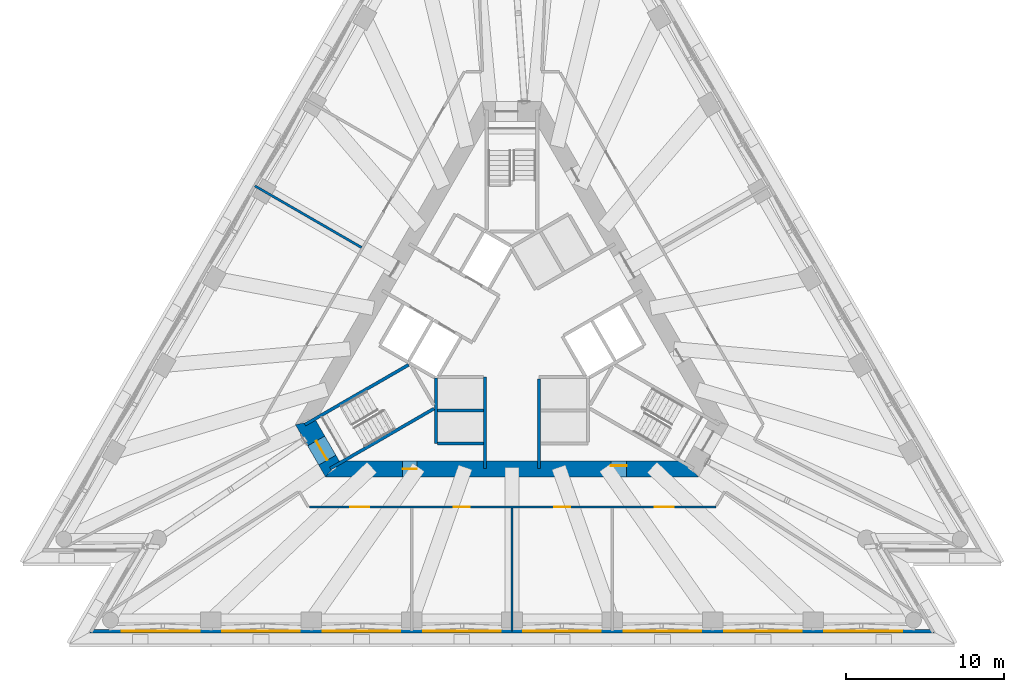
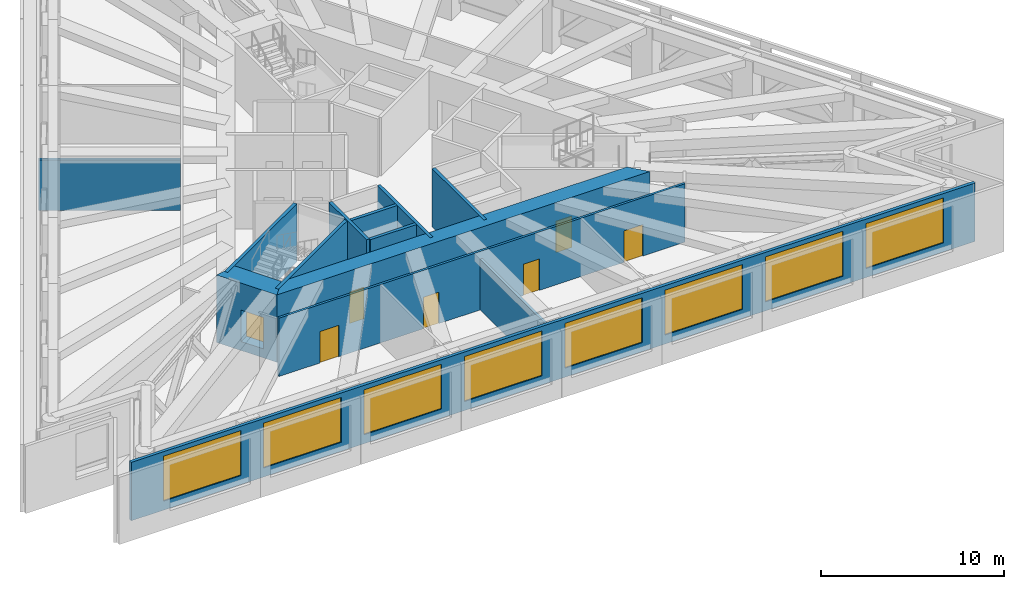
# One storey, part 6 of 12: 13 walls, 8 windows, 7 doors, 15 openings.
"""IFC4 building model written with IfcOpenShell, lengths in metres."""

from ifc_helpers import new_model, si_unit, direction, frame, frame_2d, origin, place, context, subcontext, project, spatial, polyline, rectangle, outline, extrude, material, layer, layer_set, layer_usage, type_object, element, fill, save


model = new_model("IFC4")

# Units and contexts
model_context = context("Model", 3, precision=1e-05, world=origin(), true_north=direction((0.0, 1.0)))
body_context = subcontext(model_context, "Body", "Model", "MODEL_VIEW")
ifc_project = project(units=[si_unit("LENGTHUNIT", "METRE"), si_unit("AREAUNIT", "SQUARE_METRE"), si_unit("VOLUMEUNIT", "CUBIC_METRE"), si_unit("PLANEANGLEUNIT", "RADIAN"), si_unit("MASSUNIT", "GRAM", prefix="KILO")], contexts=[model_context])

# Site, building, storey
site_placement = place(None, origin())
site = spatial("IfcSite", under=ifc_project, at=site_placement, CompositionType="ELEMENT")
building_placement = place(site_placement, origin())
building = spatial("IfcBuilding", under=site, at=building_placement, Name="Triada Interchange Tower", CompositionType="ELEMENT")
storey_placement = place(building_placement, frame((0.0, 0.0, 180.800048828125)))
storey = spatial("IfcBuildingStorey", under=building, at=storey_placement, Name="L42", CompositionType="ELEMENT", Elevation=180.800048828125)

# Walls
ifc_material_1 = material(Name="Concrete C30/37", Category="concrete")
ifc_layer_1 = layer(ifc_material_1, 0.199951171875)
ifc_layer_set_1 = layer_set([ifc_layer_1], Name="CORE WALL 200 EI 120")
wall_type_1 = type_object("IfcWallType", Name="CORE WALL 200 EI 120", PredefinedType="SOLIDWALL", material=ifc_layer_set_1)
wall_1_placement = place(storey_placement, frame((-4.800048828125, -6.89990234375, 0.0), z_axis=(0.0, 0.0, 1.0), x_axis=(0.0, 1.0, 0.0)))
element("IfcWall", 1, at=wall_1_placement, inside=storey, type_object=wall_type_1, Name="Wall L42 24", PredefinedType="SOLIDWALL", context=body_context, shape_type="SweptSolid", body=[
    extrude(rectangle(XDim=4.130859375, YDim=0.199951171875, at=frame_2d((2.0654296875, 0.0))), origin(), (0.0, 0.0, 1.0), 3.89990234375),
])
for number, where, z_axis, x_axis, name in (
    (2, (-4.699951171875, -6.89990234375, 0.0), (0.0, 0.0, 1.0), (1.0, 0.0, 0.0), "Wall L42 25"),
    (3, (-4.699951171875, -4.800048828125, 0.0), (0.0, 0.0, 1.0), (1.0, 0.0, 0.0), "Wall L42 27"),
):
    element("IfcWall", number, at=place(storey_placement, frame(where, z_axis=z_axis, x_axis=x_axis)), inside=storey, type_object=wall_type_1, Name=name, PredefinedType="SOLIDWALL", context=body_context, shape_type="SweptSolid", body=[
        extrude(rectangle(XDim=2.89990234375, YDim=0.199951171875, at=frame_2d((1.449951171875, 0.0))), origin(), (0.0, 0.0, 1.0), 3.89990234375),
    ])
wall_2_placement = place(storey_placement, frame((-1.699951171875, -8.47998046875, 0.0), z_axis=(0.0, 0.0, 1.0), x_axis=(0.0, 1.0, 0.0)))
element("IfcWall", 4, at=wall_2_placement, inside=storey, type_object=wall_type_1, Name="Wall L42 29", PredefinedType="SOLIDWALL", context=body_context, shape_type="SweptSolid", body=[
    extrude(rectangle(XDim=5.777099609375, YDim=0.199951171875, at=frame_2d((2.888671875, 0.0))), origin(), (0.0, 0.0, 1.0), 3.89990234375),
])
wall_3_placement = place(storey_placement, frame((1.699951171875, -8.47998046875, 0.0), z_axis=(0.0, 0.0, 1.0), x_axis=(0.0, 1.0, 0.0)))
element("IfcWall", 5, at=wall_3_placement, inside=storey, type_object=wall_type_1, Name="Wall L42 36", PredefinedType="SOLIDWALL", context=body_context, shape_type="SweptSolid", body=[
    extrude(rectangle(XDim=5.677001953125, YDim=0.199951171875, at=frame_2d((2.83837890625, 0.0))), origin(), (0.0, 0.0, 1.0), 3.89990234375),
])
ifc_layer_2 = layer(ifc_material_1, 0.199951171875)
ifc_layer_set_2 = layer_set([ifc_layer_2], Name="CORE WALL 200 REI 240")
wall_type_2 = type_object("IfcWallType", Name="CORE WALL 200 REI 240", PredefinedType="SOLIDWALL", material=ifc_layer_set_2)
wall_4_placement = place(storey_placement, frame((-13.080078125, -5.7041015625, 0.0), z_axis=(0.0, 0.0, 1.0), x_axis=(0.866039934834, 0.499974830638, 0.0)))
element("IfcWall", 6, at=wall_4_placement, inside=storey, type_object=wall_type_2, Name="Wall L42 59", PredefinedType="SOLIDWALL", context=body_context, shape_type="SweptSolid", body=[
    extrude(rectangle(XDim=7.564453125, YDim=0.199951171875, at=frame_2d((3.7822265625, 0.0))), origin(), (0.0, 0.0, 1.0), 3.89990234375),
])
wall_5_placement = place(storey_placement, frame((-11.47998046875, -8.47607421875, 0.0), z_axis=(0.0, 0.0, 1.0), x_axis=(0.865984032653, 0.500071650056, 0.0)))
element("IfcWall", 7, at=wall_5_placement, inside=storey, type_object=wall_type_2, Name="Wall L42 61", PredefinedType="SOLIDWALL", context=body_context, shape_type="SweptSolid", body=[
    extrude(rectangle(XDim=7.56494140625, YDim=0.199951171875, at=frame_2d((3.782470703125, 0.0))), origin(), (0.0, 0.0, 1.0), 3.89990234375),
])

# Wall, openings, doors
ifc_material_2 = material(Name="Concrete C60/75", Category="concrete")
ifc_layer_3 = layer(ifc_material_2, 1.0)
ifc_layer_set_3 = layer_set([ifc_layer_3], Name="Core wall B 1000")
wall_type_3 = type_object("IfcWallType", Name="Core wall B 1000", PredefinedType="SHEAR", material=ifc_layer_set_3)
wall_6_placement = place(storey_placement, frame((-11.344970703125, -8.5, -0.60009765625), z_axis=(0.0, 0.0, 1.0), x_axis=(1.0, 0.0, 0.0)))
wall_6 = element("IfcWall", 8, at=wall_6_placement, inside=storey, type_object=wall_type_3, Name="Core wall WB04 L42", PredefinedType="SHEAR", context=body_context, shape_type="SweptSolid", body=[
    extrude(outline(polyline([(-0.43310546875, -0.5), (1.52978515625, -0.5), (3.492919921875, -0.5), (5.4560546875, -0.5), (7.4189453125, -0.5), (9.3818359375, -0.5), (11.344970703125, -0.5), (13.30810546875, -0.5), (15.27099609375, -0.5), (17.23388671875, -0.5), (19.197021484375, -0.5), (21.16015625, -0.5), (23.123046875, -0.5), (22.257080078125, 0.5), (20.273193359375, 0.5), (18.2890625, 0.5), (16.30517578125, 0.5), (14.321044921875, 0.5), (12.337158203125, 0.5), (10.35302734375, 0.5), (8.369140625, 0.5), (6.385009765625, 0.5), (4.401123046875, 0.5), (2.4169921875, 0.5), (0.43310546875, 0.5), (-0.43310546875, -0.5)])), origin(), (0.0, 0.0, 1.0), 4.5),
])
opening_1_placement = place(wall_6_placement, frame((4.444091796875, 0.0, 0.60009765625)))
opening_1 = element("IfcOpeningElement", 9, at=opening_1_placement, cuts=wall_6, Name="Opening D42-19", PredefinedType="OPENING", context=body_context, shape_type="SweptSolid", body=[
    extrude(rectangle(XDim=0.89990234375, YDim=2.10009765625, at=frame_2d((0.449951171875, 1.050048828125))), frame((0.0, 0.510009765625, 0.0), z_axis=(0.0, -1.0, 0.0), x_axis=(1.0, 0.0, 0.0)), (0.0, 0.0, 1.0), 1.02001953125),
])
opening_2_placement = place(wall_6_placement, frame((17.583984375, 0.0, 0.60009765625)))
opening_2 = element("IfcOpeningElement", 10, at=opening_2_placement, cuts=wall_6, Name="Opening D42-21", PredefinedType="OPENING", context=body_context, shape_type="SweptSolid", body=[
    extrude(rectangle(XDim=1.0, YDim=2.10009765625, at=frame_2d((0.5, 1.050048828125))), frame((0.0, 0.510009765625, 0.0), z_axis=(0.0, -1.0, 0.0), x_axis=(1.0, 0.0, 0.0)), (0.0, 0.0, 1.0), 1.02001953125),
])
ifc_material_3 = material(Name="Steel S235 door leaf", Category="steel")
door_type_1 = type_object("IfcDoorType", Name="SERVICE DOOR 1000 EI2 45-C5S200", OperationType="NOTDEFINED", PredefinedType="DOOR", material=ifc_material_3)
door_1_placement = place(opening_2_placement, origin())
door_1 = element("IfcDoor", 11, at=door_1_placement, inside=storey, type_object=door_type_1, Name="Door D42-21 L42", OperationType="SINGLE_SWING_LEFT", OverallHeight=2.10009765625, OverallWidth=1.0, PredefinedType="DOOR", context=body_context, shape_type="SweptSolid", body=[
    extrude(rectangle(XDim=1.0, YDim=2.10009765625, at=frame_2d((0.5, 1.050048828125))), frame((0.0, 0.22509765625, 0.0), z_axis=(0.0, -1.0, 0.0), x_axis=(1.0, 0.0, 0.0)), (0.0, 0.0, 1.0), 0.050048828125),
])
fill(opening_2, door_1)
door_type_2 = type_object("IfcDoorType", Name="SERVICE DOOR 900 EI2 45-C5S200", OperationType="NOTDEFINED", PredefinedType="DOOR", material=ifc_material_3)
door_2_placement = place(opening_1_placement, origin())
door_2 = element("IfcDoor", 12, at=door_2_placement, inside=storey, type_object=door_type_2, Name="Door D42-19 L42", OperationType="SINGLE_SWING_LEFT", OverallHeight=2.10009765625, OverallWidth=0.89990234375, PredefinedType="DOOR", context=body_context, shape_type="SweptSolid", body=[
    extrude(rectangle(XDim=0.89990234375, YDim=2.10009765625, at=frame_2d((0.449951171875, 1.050048828125))), frame((0.0, 0.02490234375, 0.0), z_axis=(0.0, -1.0, 0.0), x_axis=(1.0, 0.0, 0.0)), (0.0, 0.0, 1.0), 0.050048828125),
])
fill(opening_1, door_2)

# Wall, opening, door
ifc_layer_4 = layer(ifc_material_2, 1.25)
ifc_layer_set_4 = layer_set([ifc_layer_4], Name="Core wall B 1250")
wall_type_4 = type_object("IfcWallType", Name="Core wall B 1250", PredefinedType="SHEAR", material=ifc_layer_set_4)
wall_7_placement = place(storey_placement, frame((-13.033935546875, -5.574951171875, -0.60009765625), z_axis=(0.0, 0.0, 1.0), x_axis=(0.500041548022, -0.866001414694, 0.0)))
wall_7 = element("IfcWall", 13, at=wall_7_placement, inside=storey, type_object=wall_type_4, Name="Core wall WB03 L42", PredefinedType="SHEAR", context=body_context, shape_type="SweptSolid", body=[
    extrude(outline(polyline([(-0.216064453125, -0.625), (1.68896484375, -0.625), (3.593994140625, -0.625), (3.160888671875, 0.625), (1.68896484375, 0.625), (0.217041015625, 0.625), (-0.216064453125, -0.625)])), origin(), (0.0, 0.0, 1.0), 4.5),
])
opening_3_placement = place(wall_7_placement, frame((1.3359375, 0.0, 0.60009765625)))
opening_3 = element("IfcOpeningElement", 14, at=opening_3_placement, cuts=wall_7, Name="Opening D42-16", PredefinedType="OPENING", context=body_context, shape_type="SweptSolid", body=[
    extrude(rectangle(XDim=1.39990234375, YDim=2.10009765625, at=frame_2d((0.699951171875, 1.050048828125))), frame((0.0, 0.635009765625, 0.0), z_axis=(0.0, -1.0, 0.0), x_axis=(1.0, 0.0, 0.0)), (0.0, 0.0, 1.0), 1.27001953125),
])
door_type_3 = type_object("IfcDoorType", Name="STAIR DOOR 1400 EI2 90-C5S200", OperationType="DOUBLE_DOOR_SINGLE_SWING", PredefinedType="DOOR", material=ifc_material_3)
door_3_placement = place(opening_3_placement, origin())
door_3 = element("IfcDoor", 15, at=door_3_placement, inside=storey, type_object=door_type_3, Name="Door D42-16 L42", OperationType="DOUBLE_DOOR_SINGLE_SWING", OverallHeight=2.10009765625, OverallWidth=1.39990234375, PredefinedType="DOOR", context=body_context, shape_type="SweptSolid", body=[
    extrude(rectangle(XDim=1.39990234375, YDim=2.10009765625, at=frame_2d((0.699951171875, 1.050048828125))), frame((0.0, 0.02490234375, 0.0), z_axis=(0.0, -1.0, 0.0), x_axis=(1.0, 0.0, 0.0)), (0.0, 0.0, 1.0), 0.050048828125),
])
fill(opening_3, door_3)

# Wall, openings, windows
ifc_material_4 = material(Name="Cement board")
ifc_layer_5 = layer(ifc_material_4, 0.02001953125, Name="Cement board cladding")
ifc_material_5 = material(Name="Sheathing board")
ifc_layer_6 = layer(ifc_material_5, 0.014892578125, Name="Sheathing board")
ifc_material_6 = material(Name="Mineral wool")
ifc_layer_7 = layer(ifc_material_6, 0.14990234375, Name="Mineral wool between steel studs")
ifc_material_7 = material(Name="Gypsum board")
ifc_layer_8 = layer(ifc_material_7, 0.014892578125, Name="Plasterboard lining")
ifc_layer_set_5 = layer_set([ifc_layer_5, ifc_layer_6, ifc_layer_7, ifc_layer_8], Name="External wall 200")
ifc_layer_usage = layer_usage(ifc_layer_set_5, "AXIS2", "POSITIVE", -0.10009765625)
wall_type_5 = type_object("IfcWallType", Name="External wall 200", PredefinedType="ELEMENTEDWALL", material=ifc_layer_set_5)
wall_8_placement = place(storey_placement, frame((-26.659912109375, -18.7509765625, 0.0), z_axis=(0.0, 0.0, 1.0), x_axis=(1.0, 0.0, 0.0)))
wall_8 = element("IfcWall", 16, at=wall_8_placement, inside=storey, type_object=wall_type_5, material=ifc_layer_usage, Name="External wall L42 S", PredefinedType="ELEMENTEDWALL", context=body_context, shape_type="SweptSolid", body=[
    extrude(rectangle(XDim=53.2998046875, YDim=0.199951171875, at=frame_2d((26.64990234375, 0.0))), origin(), (0.0, 0.0, 1.0), 3.89990234375),
])
opening_4_placement = place(wall_8_placement, frame((2.02294921875, 0.0, 0.60009765625)))
opening_4 = element("IfcOpeningElement", 17, at=opening_4_placement, cuts=wall_8, Name="Opening LB11", PredefinedType="OPENING", context=body_context, shape_type="SweptSolid", body=[
    extrude(rectangle(XDim=4.89990234375, YDim=3.0, at=frame_2d((2.449951171875, 1.5))), frame((0.0, 0.10986328125, 0.0), z_axis=(0.0, -1.0, 0.0), x_axis=(1.0, 0.0, 0.0)), (0.0, 0.0, 1.0), 0.219970703125),
])
opening_5_placement = place(wall_8_placement, frame((8.362060546875, 0.0, 0.60009765625)))
opening_5 = element("IfcOpeningElement", 18, at=opening_5_placement, cuts=wall_8, Name="Opening LB12", PredefinedType="OPENING", context=body_context, shape_type="SweptSolid", body=[
    extrude(rectangle(XDim=4.89990234375, YDim=3.0, at=frame_2d((2.449951171875, 1.5))), frame((0.0, 0.10986328125, 0.0), z_axis=(0.0, -1.0, 0.0), x_axis=(1.0, 0.0, 0.0)), (0.0, 0.0, 1.0), 0.219970703125),
])
opening_6_placement = place(wall_8_placement, frame((14.700927734375, 0.0, 0.60009765625)))
opening_6 = element("IfcOpeningElement", 19, at=opening_6_placement, cuts=wall_8, Name="Opening LB13", PredefinedType="OPENING", context=body_context, shape_type="SweptSolid", body=[
    extrude(rectangle(XDim=4.89990234375, YDim=3.0, at=frame_2d((2.449951171875, 1.5))), frame((0.0, 0.10986328125, 0.0), z_axis=(0.0, -1.0, 0.0), x_axis=(1.0, 0.0, 0.0)), (0.0, 0.0, 1.0), 0.219970703125),
])
opening_7_placement = place(wall_8_placement, frame((21.0400390625, 0.0, 0.60009765625)))
opening_7 = element("IfcOpeningElement", 20, at=opening_7_placement, cuts=wall_8, Name="Opening LB14", PredefinedType="OPENING", context=body_context, shape_type="SweptSolid", body=[
    extrude(rectangle(XDim=4.89990234375, YDim=3.0, at=frame_2d((2.449951171875, 1.5))), frame((0.0, 0.10986328125, 0.0), z_axis=(0.0, -1.0, 0.0), x_axis=(1.0, 0.0, 0.0)), (0.0, 0.0, 1.0), 0.219970703125),
])
opening_8_placement = place(wall_8_placement, frame((27.3798828125, 0.0, 0.60009765625)))
opening_8 = element("IfcOpeningElement", 21, at=opening_8_placement, cuts=wall_8, Name="Opening LB15", PredefinedType="OPENING", context=body_context, shape_type="SweptSolid", body=[
    extrude(rectangle(XDim=4.89990234375, YDim=3.0, at=frame_2d((2.449951171875, 1.5))), frame((0.0, 0.10986328125, 0.0), z_axis=(0.0, -1.0, 0.0), x_axis=(1.0, 0.0, 0.0)), (0.0, 0.0, 1.0), 0.219970703125),
])
opening_9_placement = place(wall_8_placement, frame((33.718994140625, 0.0, 0.60009765625)))
opening_9 = element("IfcOpeningElement", 22, at=opening_9_placement, cuts=wall_8, Name="Opening LB16", PredefinedType="OPENING", context=body_context, shape_type="SweptSolid", body=[
    extrude(rectangle(XDim=4.89990234375, YDim=3.0, at=frame_2d((2.449951171875, 1.5))), frame((0.0, 0.10986328125, 0.0), z_axis=(0.0, -1.0, 0.0), x_axis=(1.0, 0.0, 0.0)), (0.0, 0.0, 1.0), 0.219970703125),
])
opening_10_placement = place(wall_8_placement, frame((40.05810546875, 0.0, 0.60009765625)))
opening_10 = element("IfcOpeningElement", 23, at=opening_10_placement, cuts=wall_8, Name="Opening LB17", PredefinedType="OPENING", context=body_context, shape_type="SweptSolid", body=[
    extrude(rectangle(XDim=4.89990234375, YDim=3.0, at=frame_2d((2.449951171875, 1.5))), frame((0.0, 0.10986328125, 0.0), z_axis=(0.0, -1.0, 0.0), x_axis=(1.0, 0.0, 0.0)), (0.0, 0.0, 1.0), 0.219970703125),
])
opening_11_placement = place(wall_8_placement, frame((46.39697265625, 0.0, 0.60009765625)))
opening_11 = element("IfcOpeningElement", 24, at=opening_11_placement, cuts=wall_8, Name="Opening LB18", PredefinedType="OPENING", context=body_context, shape_type="SweptSolid", body=[
    extrude(rectangle(XDim=4.89990234375, YDim=3.0, at=frame_2d((2.449951171875, 1.5))), frame((0.0, 0.10986328125, 0.0), z_axis=(0.0, -1.0, 0.0), x_axis=(1.0, 0.0, 0.0)), (0.0, 0.0, 1.0), 0.219970703125),
])
ifc_material_8 = material(Name="Aluminium louvre", Category="aluminium")
window_type = type_object("IfcWindowType", Name="Plant louvre B face", PartitioningType="SINGLE_PANEL", PredefinedType="WINDOW", material=ifc_material_8)
window_1_placement = place(opening_4_placement, origin())
window_1 = element("IfcWindow", 25, at=window_1_placement, inside=storey, type_object=window_type, Name="Louvre L42 S 1", OverallHeight=3.0, OverallWidth=4.89990234375, PartitioningType="SINGLE_PANEL", PredefinedType="WINDOW", context=body_context, shape_type="SweptSolid", body=[
    extrude(rectangle(XDim=4.89990234375, YDim=3.0, at=frame_2d((2.449951171875, 1.5))), frame((0.0, 0.030029296875, 0.0), z_axis=(0.0, -1.0, 0.0), x_axis=(1.0, 0.0, 0.0)), (0.0, 0.0, 1.0), 0.06005859375),
])
fill(opening_4, window_1)
window_2_placement = place(opening_5_placement, origin())
window_2 = element("IfcWindow", 26, at=window_2_placement, inside=storey, type_object=window_type, Name="Louvre L42 S 2", OverallHeight=3.0, OverallWidth=4.89990234375, PartitioningType="SINGLE_PANEL", PredefinedType="WINDOW", context=body_context, shape_type="SweptSolid", body=[
    extrude(rectangle(XDim=4.89990234375, YDim=3.0, at=frame_2d((2.449951171875, 1.5))), frame((0.0, 0.030029296875, 0.0), z_axis=(0.0, -1.0, 0.0), x_axis=(1.0, 0.0, 0.0)), (0.0, 0.0, 1.0), 0.06005859375),
])
fill(opening_5, window_2)
window_3_placement = place(opening_6_placement, origin())
window_3 = element("IfcWindow", 27, at=window_3_placement, inside=storey, type_object=window_type, Name="Louvre L42 S 3", OverallHeight=3.0, OverallWidth=4.89990234375, PartitioningType="SINGLE_PANEL", PredefinedType="WINDOW", context=body_context, shape_type="SweptSolid", body=[
    extrude(rectangle(XDim=4.89990234375, YDim=3.0, at=frame_2d((2.449951171875, 1.5))), frame((0.0, 0.030029296875, 0.0), z_axis=(0.0, -1.0, 0.0), x_axis=(1.0, 0.0, 0.0)), (0.0, 0.0, 1.0), 0.06005859375),
])
fill(opening_6, window_3)
window_4_placement = place(opening_7_placement, origin())
window_4 = element("IfcWindow", 28, at=window_4_placement, inside=storey, type_object=window_type, Name="Louvre L42 S 4", OverallHeight=3.0, OverallWidth=4.89990234375, PartitioningType="SINGLE_PANEL", PredefinedType="WINDOW", context=body_context, shape_type="SweptSolid", body=[
    extrude(rectangle(XDim=4.89990234375, YDim=3.0, at=frame_2d((2.449951171875, 1.5))), frame((0.0, 0.030029296875, 0.0), z_axis=(0.0, -1.0, 0.0), x_axis=(1.0, 0.0, 0.0)), (0.0, 0.0, 1.0), 0.06005859375),
])
fill(opening_7, window_4)
window_5_placement = place(opening_8_placement, origin())
window_5 = element("IfcWindow", 29, at=window_5_placement, inside=storey, type_object=window_type, Name="Louvre L42 S 5", OverallHeight=3.0, OverallWidth=4.89990234375, PartitioningType="SINGLE_PANEL", PredefinedType="WINDOW", context=body_context, shape_type="SweptSolid", body=[
    extrude(rectangle(XDim=4.89990234375, YDim=3.0, at=frame_2d((2.449951171875, 1.5))), frame((0.0, 0.030029296875, 0.0), z_axis=(0.0, -1.0, 0.0), x_axis=(1.0, 0.0, 0.0)), (0.0, 0.0, 1.0), 0.06005859375),
])
fill(opening_8, window_5)
window_6_placement = place(opening_9_placement, origin())
window_6 = element("IfcWindow", 30, at=window_6_placement, inside=storey, type_object=window_type, Name="Louvre L42 S 6", OverallHeight=3.0, OverallWidth=4.89990234375, PartitioningType="SINGLE_PANEL", PredefinedType="WINDOW", context=body_context, shape_type="SweptSolid", body=[
    extrude(rectangle(XDim=4.89990234375, YDim=3.0, at=frame_2d((2.449951171875, 1.5))), frame((0.0, 0.030029296875, 0.0), z_axis=(0.0, -1.0, 0.0), x_axis=(1.0, 0.0, 0.0)), (0.0, 0.0, 1.0), 0.06005859375),
])
fill(opening_9, window_6)
window_7_placement = place(opening_10_placement, origin())
window_7 = element("IfcWindow", 31, at=window_7_placement, inside=storey, type_object=window_type, Name="Louvre L42 S 7", OverallHeight=3.0, OverallWidth=4.89990234375, PartitioningType="SINGLE_PANEL", PredefinedType="WINDOW", context=body_context, shape_type="SweptSolid", body=[
    extrude(rectangle(XDim=4.89990234375, YDim=3.0, at=frame_2d((2.449951171875, 1.5))), frame((0.0, 0.030029296875, 0.0), z_axis=(0.0, -1.0, 0.0), x_axis=(1.0, 0.0, 0.0)), (0.0, 0.0, 1.0), 0.06005859375),
])
fill(opening_10, window_7)
window_8_placement = place(opening_11_placement, origin())
window_8 = element("IfcWindow", 32, at=window_8_placement, inside=storey, type_object=window_type, Name="Louvre L42 S 8", OverallHeight=3.0, OverallWidth=4.89990234375, PartitioningType="SINGLE_PANEL", PredefinedType="WINDOW", context=body_context, shape_type="SweptSolid", body=[
    extrude(rectangle(XDim=4.89990234375, YDim=3.0, at=frame_2d((2.449951171875, 1.5))), frame((0.0, 0.030029296875, 0.0), z_axis=(0.0, -1.0, 0.0), x_axis=(1.0, 0.0, 0.0)), (0.0, 0.0, 1.0), 0.06005859375),
])
fill(opening_11, window_8)

# Wall, openings, doors
ifc_material_9 = material(Name="Gypsum board partition")
ifc_layer_9 = layer(ifc_material_9, 0.14990234375)
ifc_layer_set_6 = layer_set([ifc_layer_9], Name="PARTITION 150 EI 180")
wall_type_6 = type_object("IfcWallType", Name="PARTITION 150 EI 180", PredefinedType="PARTITIONING", material=ifc_layer_set_6)
wall_9_placement = place(storey_placement, frame((-12.7880859375, -10.89990234375, 0.0), z_axis=(0.0, 0.0, 1.0), x_axis=(1.0, 0.0, 0.0)))
wall_9 = element("IfcWall", 33, at=wall_9_placement, inside=storey, type_object=wall_type_6, Name="Wall L42 6", PredefinedType="PARTITIONING", context=body_context, shape_type="SweptSolid", body=[
    extrude(rectangle(XDim=25.6630859375, YDim=0.14990234375, at=frame_2d((12.83154296875, 0.0))), origin(), (0.0, 0.0, 1.0), 3.89990234375),
])
opening_12_placement = place(wall_9_placement, frame((2.5810546875, 0.0, 0.0)))
opening_12 = element("IfcOpeningElement", 34, at=opening_12_placement, cuts=wall_9, Name="Opening D42-07", PredefinedType="OPENING", context=body_context, shape_type="SweptSolid", body=[
    extrude(rectangle(XDim=1.199951171875, YDim=2.10009765625, at=frame_2d((0.60009765625, 1.050048828125))), frame((0.0, 0.0849609375, 0.0), z_axis=(0.0, -1.0, 0.0), x_axis=(1.0, 0.0, 0.0)), (0.0, 0.0, 1.0), 0.169921875),
])
opening_13_placement = place(wall_9_placement, frame((9.117919921875, 0.0, 0.0)))
opening_13 = element("IfcOpeningElement", 35, at=opening_13_placement, cuts=wall_9, Name="Opening D42-08", PredefinedType="OPENING", context=body_context, shape_type="SweptSolid", body=[
    extrude(rectangle(XDim=1.0, YDim=2.10009765625, at=frame_2d((0.5, 1.050048828125))), frame((0.0, 0.0849609375, 0.0), z_axis=(0.0, -1.0, 0.0), x_axis=(1.0, 0.0, 0.0)), (0.0, 0.0, 1.0), 0.169921875),
])
opening_14_placement = place(wall_9_placement, frame((15.45703125, 0.0, 0.0)))
opening_14 = element("IfcOpeningElement", 36, at=opening_14_placement, cuts=wall_9, Name="Opening D42-09", PredefinedType="OPENING", context=body_context, shape_type="SweptSolid", body=[
    extrude(rectangle(XDim=1.0, YDim=2.10009765625, at=frame_2d((0.5, 1.050048828125))), frame((0.0, 0.0849609375, 0.0), z_axis=(0.0, -1.0, 0.0), x_axis=(1.0, 0.0, 0.0)), (0.0, 0.0, 1.0), 0.169921875),
])
opening_15_placement = place(wall_9_placement, frame((21.794921875, 0.0, 0.0)))
opening_15 = element("IfcOpeningElement", 37, at=opening_15_placement, cuts=wall_9, Name="Opening D42-10", PredefinedType="OPENING", context=body_context, shape_type="SweptSolid", body=[
    extrude(rectangle(XDim=1.199951171875, YDim=2.10009765625, at=frame_2d((0.60009765625, 1.050048828125))), frame((0.0, 0.0849609375, 0.0), z_axis=(0.0, -1.0, 0.0), x_axis=(1.0, 0.0, 0.0)), (0.0, 0.0, 1.0), 0.169921875),
])
door_type_4 = type_object("IfcDoorType", Name="DOUBLE ROOM DOOR 1200 EI2 45-C5S200", OperationType="DOUBLE_DOOR_SINGLE_SWING", PredefinedType="DOOR", material=ifc_material_3)
door_4_placement = place(opening_12_placement, origin())
door_4 = element("IfcDoor", 38, at=door_4_placement, inside=storey, type_object=door_type_4, Name="Door D42-07 L42", OperationType="DOUBLE_DOOR_SINGLE_SWING", OverallHeight=2.10009765625, OverallWidth=1.199951171875, PredefinedType="DOOR", context=body_context, shape_type="SweptSolid", body=[
    extrude(rectangle(XDim=1.199951171875, YDim=2.10009765625, at=frame_2d((0.60009765625, 1.050048828125))), frame((0.0, 0.02490234375, 0.0), z_axis=(0.0, -1.0, 0.0), x_axis=(1.0, 0.0, 0.0)), (0.0, 0.0, 1.0), 0.050048828125),
])
fill(opening_12, door_4)
door_5_placement = place(opening_15_placement, origin())
door_5 = element("IfcDoor", 39, at=door_5_placement, inside=storey, type_object=door_type_4, Name="Door D42-10 L42", OperationType="DOUBLE_DOOR_SINGLE_SWING", OverallHeight=2.10009765625, OverallWidth=1.199951171875, PredefinedType="DOOR", context=body_context, shape_type="SweptSolid", body=[
    extrude(rectangle(XDim=1.199951171875, YDim=2.10009765625, at=frame_2d((0.60009765625, 1.050048828125))), frame((0.0, 0.02490234375, 0.0), z_axis=(0.0, -1.0, 0.0), x_axis=(1.0, 0.0, 0.0)), (0.0, 0.0, 1.0), 0.050048828125),
])
fill(opening_15, door_5)
door_type_5 = type_object("IfcDoorType", Name="ROOM DOOR 1000 EI2 45-C5S200", OperationType="NOTDEFINED", PredefinedType="DOOR", material=ifc_material_3)
door_6_placement = place(opening_13_placement, origin())
door_6 = element("IfcDoor", 40, at=door_6_placement, inside=storey, type_object=door_type_5, Name="Door D42-08 L42", OperationType="SINGLE_SWING_LEFT", OverallHeight=2.10009765625, OverallWidth=1.0, PredefinedType="DOOR", context=body_context, shape_type="SweptSolid", body=[
    extrude(rectangle(XDim=1.0, YDim=2.10009765625, at=frame_2d((0.5, 1.050048828125))), frame((0.0, 0.02490234375, 0.0), z_axis=(0.0, -1.0, 0.0), x_axis=(1.0, 0.0, 0.0)), (0.0, 0.0, 1.0), 0.050048828125),
])
fill(opening_13, door_6)
door_7_placement = place(opening_14_placement, origin())
door_7 = element("IfcDoor", 41, at=door_7_placement, inside=storey, type_object=door_type_5, Name="Door D42-09 L42", OperationType="SINGLE_SWING_LEFT", OverallHeight=2.10009765625, OverallWidth=1.0, PredefinedType="DOOR", context=body_context, shape_type="SweptSolid", body=[
    extrude(rectangle(XDim=1.0, YDim=2.10009765625, at=frame_2d((0.5, 1.050048828125))), frame((0.0, 0.02490234375, 0.0), z_axis=(0.0, -1.0, 0.0), x_axis=(1.0, 0.0, 0.0)), (0.0, 0.0, 1.0), 0.050048828125),
])
fill(opening_14, door_7)

# Walls
for number, where, z_axis, x_axis, name in (
    (42, (-16.238037109375, 9.3759765625, 0.0), (0.0, 0.0, 1.0), (0.8660261172, -0.499998764326, 0.0), "Wall L42 7"),
    (43, (0.0, -18.7509765625, 0.0), (0.0, 0.0, 1.0), (0.0, 1.0, 0.0), "Wall L42 13"),
):
    element("IfcWall", number, at=place(storey_placement, frame(where, z_axis=z_axis, x_axis=x_axis)), inside=storey, type_object=wall_type_6, Name=name, PredefinedType="PARTITIONING", context=body_context, shape_type="SweptSolid", body=[
        extrude(rectangle(XDim=7.77587890625, YDim=0.14990234375, at=frame_2d((3.887939453125, 0.0))), origin(), (0.0, 0.0, 1.0), 3.39990234375),
    ])

save(model, "model.ifc")
